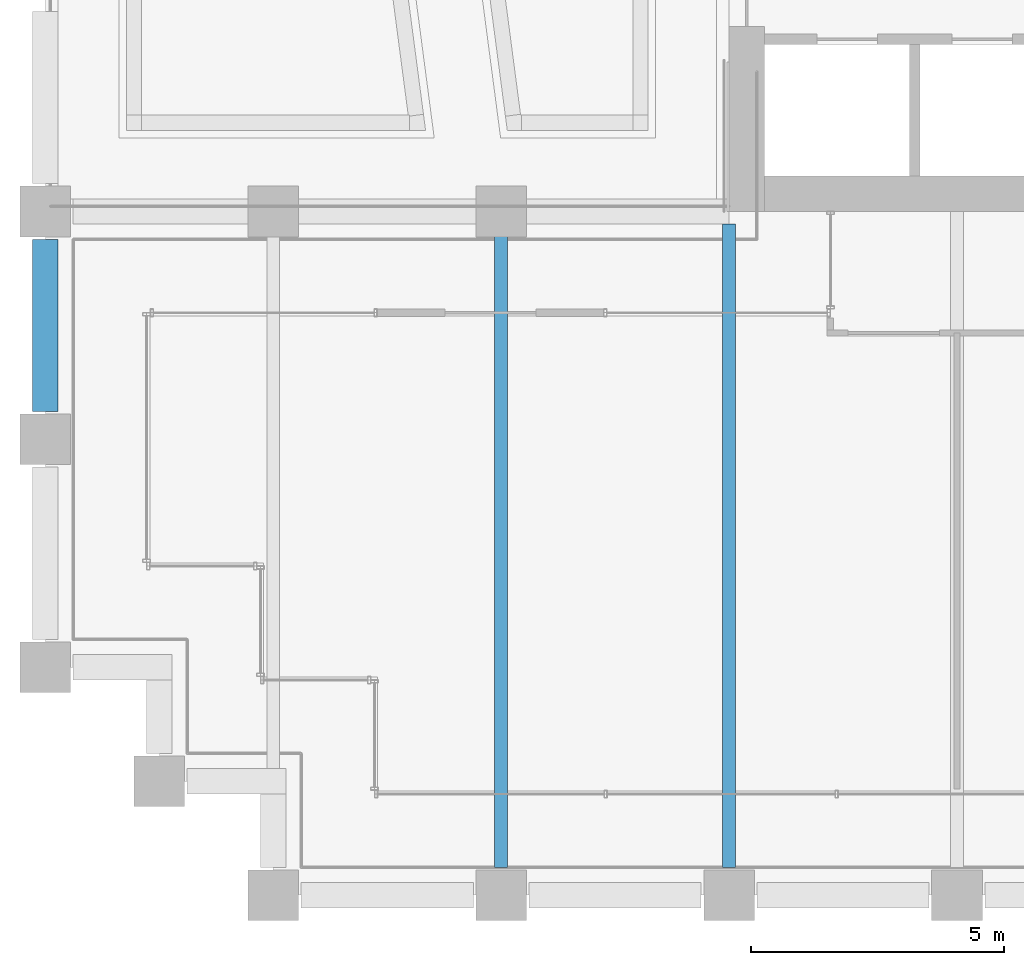
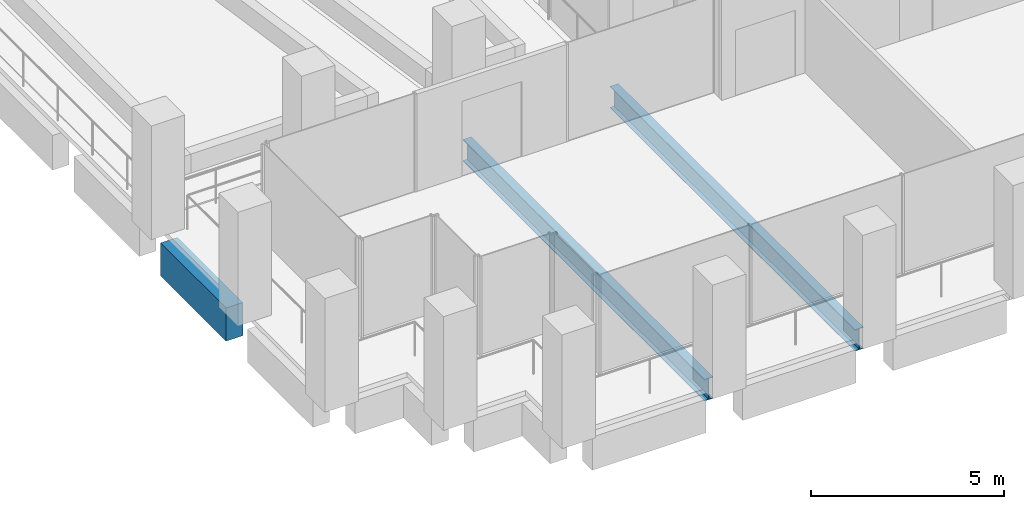
# One storey, part 4 of 52: 3 beams.
"""IFC4 building model written with IfcOpenShell, lengths in metres."""

from ifc_helpers import new_model, si_unit, direction, frame, origin, origin_2d, place, context, subcontext, project, spatial, rectangle, i_section, extrude, material, material_profile, profile_set, type_object, element, save


model = new_model("IFC4")

# Units and contexts
model_context = context("Model", 3, precision=1e-05, world=origin(), true_north=direction((0.0, 1.0)))
body_context = subcontext(model_context, "Body", "Model", "MODEL_VIEW")
ifc_project = project(units=[si_unit("LENGTHUNIT", "METRE"), si_unit("AREAUNIT", "SQUARE_METRE"), si_unit("VOLUMEUNIT", "CUBIC_METRE"), si_unit("PLANEANGLEUNIT", "RADIAN"), si_unit("MASSUNIT", "GRAM", prefix="KILO")], contexts=[model_context])

# Site, building, storey
site_placement = place(None, origin())
site = spatial("IfcSite", under=ifc_project, at=site_placement, CompositionType="ELEMENT")
building_placement = place(site_placement, origin())
building = spatial("IfcBuilding", under=site, at=building_placement, Name="Altepetl Exchange Towers", CompositionType="ELEMENT")
storey_placement = place(building_placement, frame((0.0, 0.0, 92.0)))
storey = spatial("IfcBuildingStorey", under=building, at=storey_placement, Name="L22", CompositionType="ELEMENT", Elevation=92.0)

# Beams
ifc_material_1 = material(Name="Steel S355", Category="steel")
ifc_material_profile_1 = material_profile(ifc_material_1, i_section(OverallWidth=0.25390625, OverallDepth=0.68408203125, WebThickness=0.012451171875, FlangeThickness=0.018798828125, at=origin_2d()), Name="W27X94")
ifc_profile_set_1 = profile_set([ifc_material_profile_1], Name="Steel S355")
beam_type_1 = type_object("IfcBeamType", Name="Floor beam W27X94", PredefinedType="BEAM", material=ifc_profile_set_1)
beam_1_placement = place(storey_placement, frame((36.0, 27.550048828125, -0.491943359375), z_axis=(0.0, 1.0, 0.0), x_axis=(-1.0, 0.0, 0.0)))
element("IfcBeam", 1, at=beam_1_placement, inside=storey, type_object=beam_type_1, Name="bm:A:L22:013", PredefinedType="BEAM", context=body_context, shape_type="SweptSolid", body=[
    extrude(i_section(OverallWidth=0.25390625, OverallDepth=0.68408203125, WebThickness=0.012451171875, FlangeThickness=0.018798828125, at=origin_2d()), origin(), (0.0, 0.0, 1.0), 12.52490234375),
])
beam_2_placement = place(storey_placement, frame((40.5, 27.550048828125, -0.491943359375), z_axis=(0.0, 1.0, 0.0), x_axis=(-1.0, 0.0, 0.0)))
element("IfcBeam", 2, at=beam_2_placement, inside=storey, type_object=beam_type_1, Name="bm:A:L22:014", PredefinedType="BEAM", context=body_context, shape_type="SweptSolid", body=[
    extrude(i_section(OverallWidth=0.25390625, OverallDepth=0.68408203125, WebThickness=0.012451171875, FlangeThickness=0.018798828125, at=origin_2d()), origin(), (0.0, 0.0, 1.0), 12.699951171875),
])
ifc_material_2 = material(Name="Concrete C50/60 precast with cantera blanca facing", Category="concrete")
ifc_material_profile_2 = material_profile(ifc_material_2, rectangle(XDim=0.5, YDim=1.050048828125, at=origin_2d()), Name="500 x 1050")
ifc_profile_set_2 = profile_set([ifc_material_profile_2], Name="Concrete C50/60 precast with cantera blanca facing")
beam_type_2 = type_object("IfcBeamType", Name="Spandrel beam 500x1050 cantera blanca", PredefinedType="SPANDREL", material=ifc_profile_set_2)
beam_3_placement = place(storey_placement, frame((27.0, 39.949951171875, -0.675048828125), z_axis=(0.0, -1.0, 0.0), x_axis=(1.0, 0.0, 0.0)))
element("IfcBeam", 3, at=beam_3_placement, inside=storey, type_object=beam_type_2, Name="sp:A:L22:036", PredefinedType="SPANDREL", context=body_context, shape_type="SweptSolid", body=[
    extrude(rectangle(XDim=0.5, YDim=1.050048828125, at=origin_2d()), origin(), (0.0, 0.0, 1.0), 3.39990234375),
])

save(model, "model.ifc")
